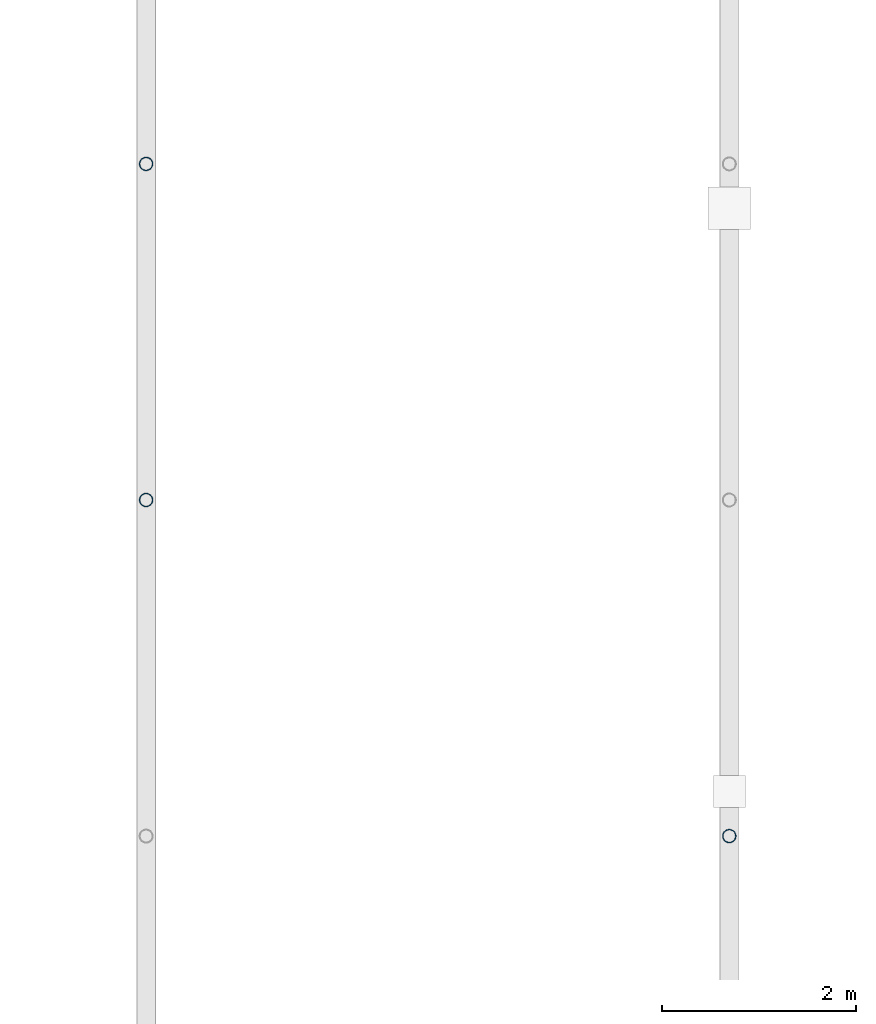
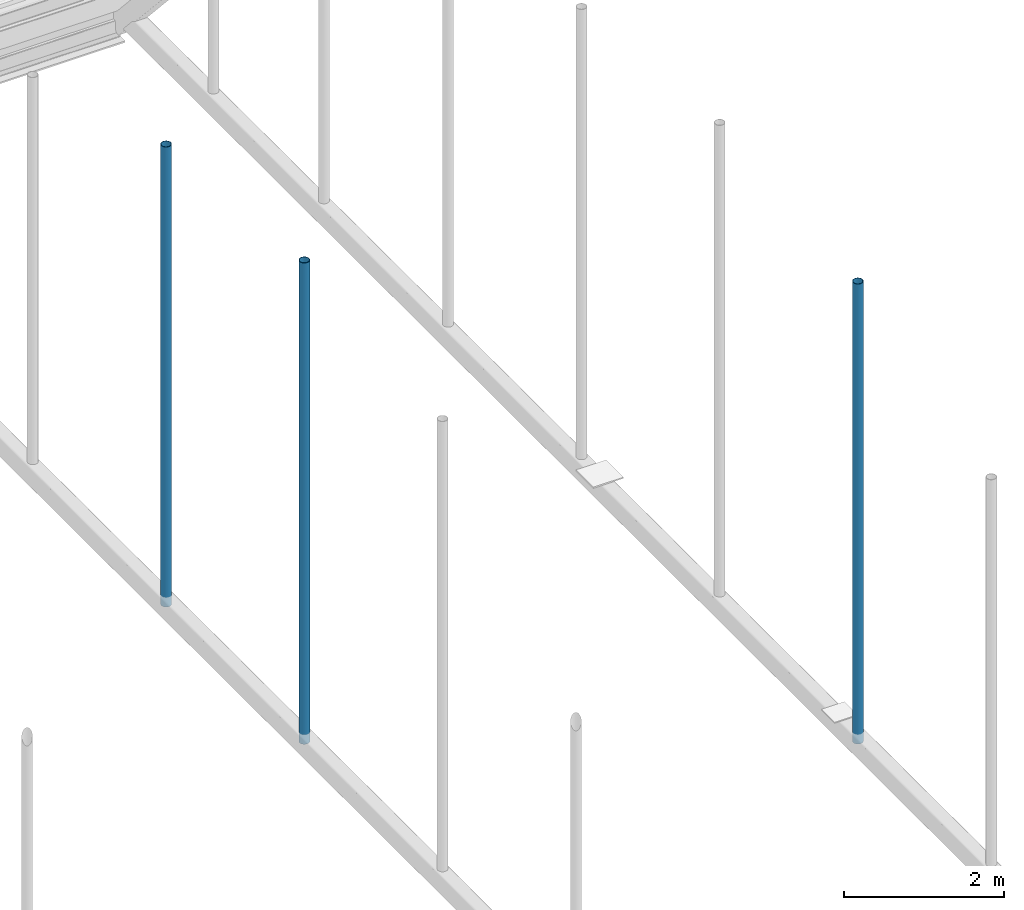
# One storey, part 35 of 63: 3 members.
"""IFC4 building model written with IfcOpenShell, lengths in metres."""

from ifc_helpers import new_model, si_unit, direction, frame, origin, origin_2d, place, context, subcontext, project, spatial, hollow_circle, extrude, material, material_profile, profile_set, type_object, element, save


model = new_model("IFC4")

# Units and contexts
model_context = context("Model", 3, precision=1e-05, world=origin(), true_north=direction((0.0, 1.0)))
body_context = subcontext(model_context, "Body", "Model", "MODEL_VIEW")
ifc_project = project(units=[si_unit("LENGTHUNIT", "METRE"), si_unit("AREAUNIT", "SQUARE_METRE"), si_unit("VOLUMEUNIT", "CUBIC_METRE"), si_unit("PLANEANGLEUNIT", "RADIAN"), si_unit("MASSUNIT", "GRAM", prefix="KILO")], contexts=[model_context])

# Site, building, storey
site_placement = place(None, origin())
site = spatial("IfcSite", under=ifc_project, at=site_placement, CompositionType="ELEMENT")
building_placement = place(site_placement, origin())
building = spatial("IfcBuilding", under=site, at=building_placement, Name="Varnakota Square Police Headquarters", CompositionType="ELEMENT")
storey_placement = place(building_placement, frame((0.0, 0.0, 22.199951171875)))
storey = spatial("IfcBuildingStorey", under=building, at=storey_placement, Name="L05", CompositionType="ELEMENT", Elevation=22.199951171875)

# Members
ifc_material = material(Name="Steel IS 2062 Grade 350", Category="steel")
ifc_material_profile = material_profile(ifc_material, hollow_circle(Radius=0.06982421875, WallThickness=0.006103515625, at=origin_2d()), Name="CHS 139.7x6.0")
ifc_profile_set = profile_set([ifc_material_profile], Name="Steel IS 2062 Grade 350")
member_type = type_object("IfcMemberType", Name="MEM-HNG-CHS139", PredefinedType="STRUT", material=ifc_profile_set)
member_placement = place(storey_placement, frame((90.0, 84.0, -0.14990234375), z_axis=(0.0, 0.0, 1.0), x_axis=(1.0, 0.0, 0.0)))
element("IfcMember", 1, at=member_placement, inside=storey, type_object=member_type, Name="Barrel vault hanger strut V2-R06-N5", PredefinedType="STRUT", context=body_context, shape_type="SweptSolid", body=[
    extrude(hollow_circle(Radius=0.06982421875, WallThickness=0.006103515625, at=origin_2d()), origin(), (0.0, 0.0, 1.0), 7.351318359375),
])
for number, where, z_axis, x_axis, name in (
    (2, (90.0, 87.45751953125, -0.14990234375), (0.0, 0.0, 1.0), (1.0, 0.0, 0.0), "Barrel vault hanger strut V2-R06-N6"),
    (3, (96.0, 80.54248046875, -0.14990234375), (0.0, 0.0, 1.0), (1.0, 0.0, 0.0), "Barrel vault hanger strut V2-R07-N4"),
):
    element("IfcMember", number, at=place(storey_placement, frame(where, z_axis=z_axis, x_axis=x_axis)), inside=storey, type_object=member_type, Name=name, PredefinedType="STRUT", context=body_context, shape_type="SweptSolid", body=[
        extrude(hollow_circle(Radius=0.06982421875, WallThickness=0.006103515625, at=origin_2d()), origin(), (0.0, 0.0, 1.0), 7.02490234375),
    ])

save(model, "model.ifc")
